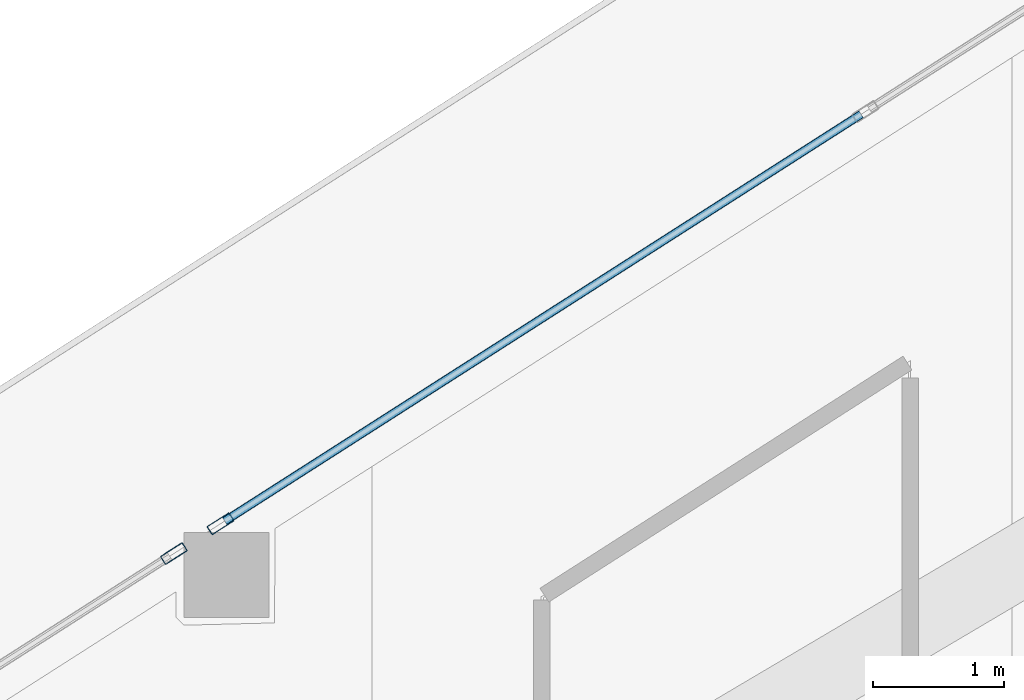
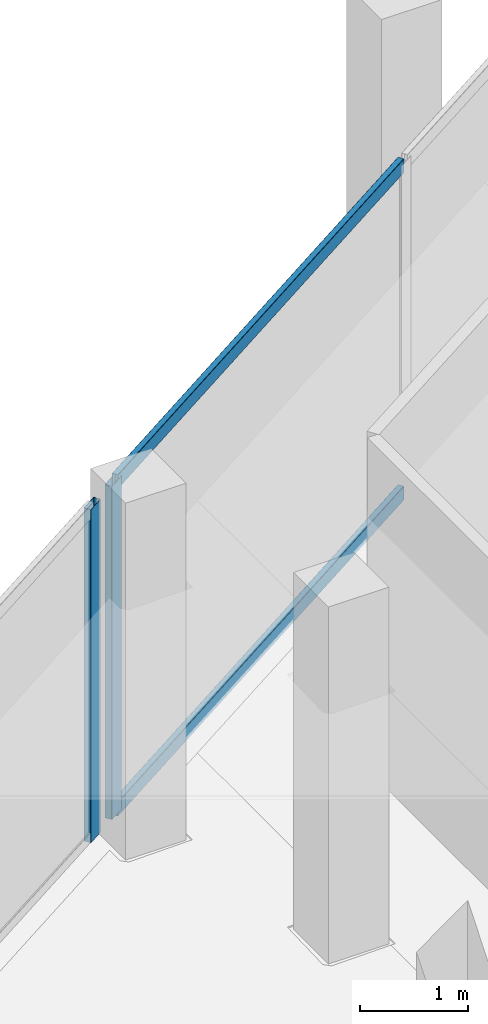
# One storey, part 18 of 38: 4 members, 2 elements without a shape of their own.
"""IFC4 building model written with IfcOpenShell, lengths in metres."""

from ifc_helpers import new_model, si_unit, direction, frame, origin, origin_2d, place, context, subcontext, project, spatial, hollow_rectangle, extrude, material, layer, layer_set, material_profile, profile_set, type_object, element, aggregate, save


model = new_model("IFC4")

# Units and contexts
model_context = context("Model", 3, precision=1e-05, world=origin(), true_north=direction((0.0, 1.0)))
body_context = subcontext(model_context, "Body", "Model", "MODEL_VIEW")
ifc_project = project(units=[si_unit("LENGTHUNIT", "METRE"), si_unit("AREAUNIT", "SQUARE_METRE"), si_unit("VOLUMEUNIT", "CUBIC_METRE"), si_unit("PLANEANGLEUNIT", "RADIAN"), si_unit("MASSUNIT", "GRAM", prefix="KILO")], contexts=[model_context])

# Site, building, storey
site_placement = place(None, origin())
site = spatial("IfcSite", under=ifc_project, at=site_placement, CompositionType="ELEMENT")
building_placement = place(site_placement, origin())
building = spatial("IfcBuilding", under=site, at=building_placement, Name="Qorvath Tower", CompositionType="ELEMENT")
storey_placement = place(building_placement, frame((0.0, 0.0, 158.39990234375)))
storey = spatial("IfcBuildingStorey", under=building, at=storey_placement, Name="L36", CompositionType="ELEMENT", Elevation=158.39990234375)

# Curtain wall, member
ifc_material_1 = material(Name="Anodised aluminium and triple low-E glass", Category="aluminium")
ifc_layer = layer(ifc_material_1, 0.179931640625)
ifc_layer_set = layer_set([ifc_layer], Name="CW-SYS-5")
curtain_wall_type = type_object("IfcCurtainWallType", Name="CW-SYS-5", PredefinedType="NOTDEFINED", material=ifc_layer_set)
curtain_wall_1_placement = place(storey_placement, origin())
curtain_wall_1 = element("IfcCurtainWall", 1, at=curtain_wall_1_placement, inside=storey, type_object=curtain_wall_type, Name="Curtain Wall CW-5 CW-T-L36-16.1", PredefinedType="NOTDEFINED")
ifc_material_2 = material(Name="Anodised aluminium 6063-T6", Category="aluminium")
ifc_material_profile_1 = material_profile(ifc_material_2, hollow_rectangle(XDim=0.074951171875, YDim=0.199951171875, WallThickness=0.00390625, InnerFilletRadius=0.00390625, OuterFilletRadius=0.008056640625, at=origin_2d()), Name="CWM 200x75")
ifc_profile_set_1 = profile_set([ifc_material_profile_1], Name="Anodised aluminium 6063-T6")
member_type_1 = type_object("IfcMemberType", Name="CWM-200", PredefinedType="MULLION", material=ifc_profile_set_1)
member_1_placement = place(storey_placement, frame((-31.060791015625, 19.8505859375, 0.0), z_axis=(0.0, 0.0, 1.0), x_axis=(0.53853971351, -0.842600128752, 0.0)))
member_1 = element("IfcMember", 2, at=member_1_placement, type_object=member_type_1, Name="CW-5 mullion 4", PredefinedType="MULLION", context=body_context, shape_type="SweptSolid", body=[
    extrude(hollow_rectangle(XDim=0.074951171875, YDim=0.199951171875, WallThickness=0.00390625, InnerFilletRadius=0.00390625, OuterFilletRadius=0.008056640625, at=origin_2d()), origin(), (0.0, 0.0, 1.0), 3.780029296875),
])

curtain_wall_2_placement = place(storey_placement, origin())
curtain_wall_2 = element("IfcCurtainWall", 3, at=curtain_wall_2_placement, inside=storey, type_object=curtain_wall_type, Name="Curtain Wall CW-5 CW-T-L36-16.2", PredefinedType="NOTDEFINED")
member_2_placement = place(storey_placement, frame((-31.41748046875, 19.622314453125, 0.0), z_axis=(0.0, 0.0, 1.0), x_axis=(0.53853949052, -0.842600271273, 0.0)))
member_2 = element("IfcMember", 4, at=member_2_placement, type_object=member_type_1, Name="CW-5 mullion 1", PredefinedType="MULLION", context=body_context, shape_type="SweptSolid", body=[
    extrude(hollow_rectangle(XDim=0.074951171875, YDim=0.199951171875, WallThickness=0.00390625, InnerFilletRadius=0.00390625, OuterFilletRadius=0.008056640625, at=origin_2d()), origin(), (0.0, 0.0, 1.0), 3.780029296875),
])
aggregate(curtain_wall_2, [member_2])

# Member
ifc_material_3 = material(Name="Anodised aluminium 6063-T6", Category="aluminium")
ifc_material_profile_2 = material_profile(ifc_material_3, hollow_rectangle(XDim=0.06494140625, YDim=0.159912109375, WallThickness=0.00341796875, InnerFilletRadius=0.00341796875, OuterFilletRadius=0.007080078125, at=origin_2d()), Name="CWT 160x65")
ifc_profile_set_2 = profile_set([ifc_material_profile_2], Name="Anodised aluminium 6063-T6")
member_type_2 = type_object("IfcMemberType", Name="CWT-160", PredefinedType="USERDEFINED", material=ifc_profile_set_2)
member_3_placement = place(storey_placement, frame((-26.1669921875, 22.978271484375, 0.032470703125), z_axis=(-0.842590133986, -0.538555351017, 0.0), x_axis=(0.538555351017, -0.842590133986, 0.0)))
member_3 = element("IfcMember", 5, at=member_3_placement, type_object=member_type_2, Name="CW-5 transom 3.1", ObjectType="TRANSOM", PredefinedType="USERDEFINED", context=body_context, shape_type="SweptSolid", body=[
    extrude(hollow_rectangle(XDim=0.06494140625, YDim=0.159912109375, WallThickness=0.00341796875, InnerFilletRadius=0.00341796875, OuterFilletRadius=0.007080078125, at=origin_2d()), origin(), (0.0, 0.0, 1.0), 5.770263671875),
])

member_4_placement = place(storey_placement, frame((-26.1669921875, 22.978271484375, 3.74755859375), z_axis=(-0.842590133986, -0.538555351017, 0.0), x_axis=(0.538555351017, -0.842590133986, 0.0)))
member_4 = element("IfcMember", 6, at=member_4_placement, type_object=member_type_2, Name="CW-5 transom 3.2", ObjectType="TRANSOM", PredefinedType="USERDEFINED", context=body_context, shape_type="SweptSolid", body=[
    extrude(hollow_rectangle(XDim=0.06494140625, YDim=0.159912109375, WallThickness=0.00341796875, InnerFilletRadius=0.00341796875, OuterFilletRadius=0.007080078125, at=origin_2d()), origin(), (0.0, 0.0, 1.0), 5.770263671875),
])

aggregate(curtain_wall_1, [member_1, member_3, member_4])

save(model, "model.ifc")
